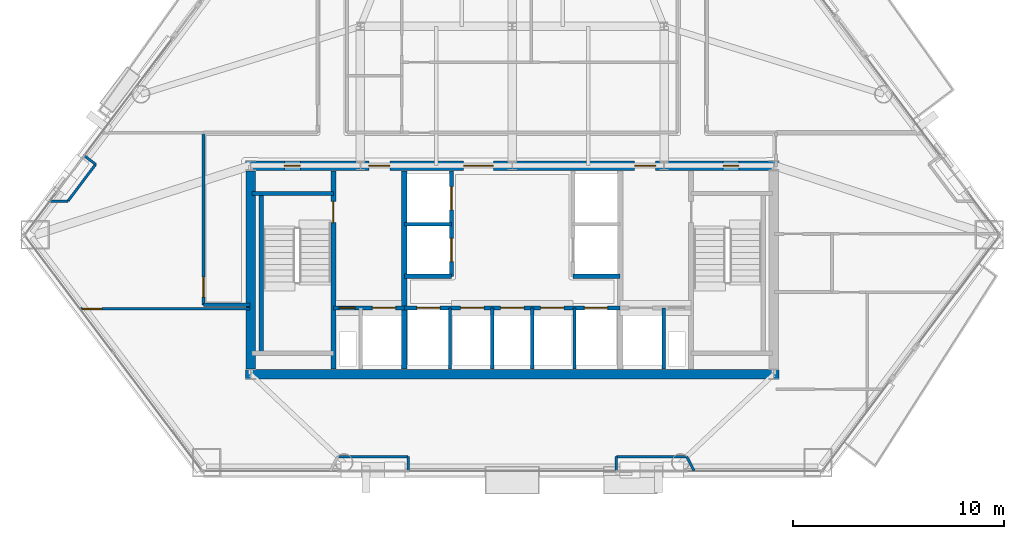
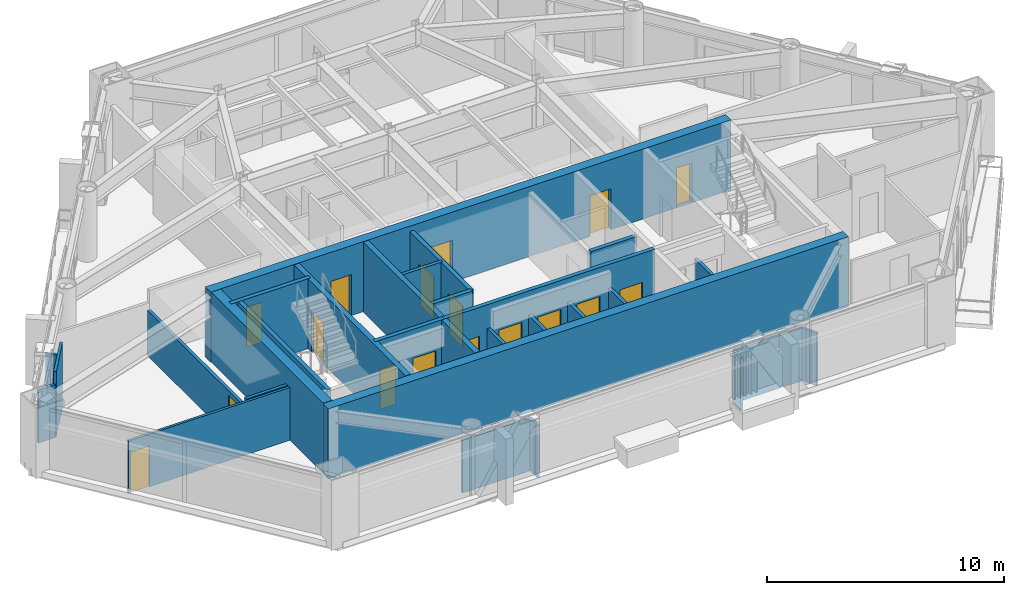
# One storey, part 6 of 11: 29 walls, 17 doors, 17 openings.
"""IFC4 building model written with IfcOpenShell, lengths in metres."""

from ifc_helpers import new_model, si_unit, direction, frame, frame_2d, origin, place, context, subcontext, project, spatial, rectangle, extrude, material, layer, layer_set, type_object, element, fill, save


model = new_model("IFC4")

# Units and contexts
model_context = context("Model", 3, precision=1e-05, world=origin(), true_north=direction((0.0, 1.0)))
body_context = subcontext(model_context, "Body", "Model", "MODEL_VIEW")
ifc_project = project(units=[si_unit("LENGTHUNIT", "METRE"), si_unit("AREAUNIT", "SQUARE_METRE"), si_unit("VOLUMEUNIT", "CUBIC_METRE"), si_unit("PLANEANGLEUNIT", "RADIAN"), si_unit("MASSUNIT", "GRAM", prefix="KILO")], contexts=[model_context])

# Site, building, storey
site_placement = place(None, origin())
site = spatial("IfcSite", under=ifc_project, at=site_placement, CompositionType="ELEMENT")
building_placement = place(site_placement, origin())
building = spatial("IfcBuilding", under=site, at=building_placement, Name="Talgorran Terracotta Tower", CompositionType="ELEMENT")
storey_placement = place(building_placement, frame((0.0, 0.0, 27.89990234375)))
storey = spatial("IfcBuildingStorey", under=building, at=storey_placement, Name="L06", CompositionType="ELEMENT", Elevation=27.89990234375)

# Walls
ifc_material_1 = material(Name="Concrete C50/60", Category="concrete")
ifc_layer_1 = layer(ifc_material_1, 0.199951171875, Name="WT_CORE_200")
ifc_layer_set_1 = layer_set([ifc_layer_1], Name="Concrete C50/60")
wall_type_1 = type_object("IfcWallType", Name="WT_CORE_200", PredefinedType="SOLIDWALL", material=ifc_layer_set_1)
wall_1_placement = place(storey_placement, frame((-12.35009765625, -5.52001953125, 0.0), z_axis=(0.0, 0.0, 1.0), x_axis=(1.0, 0.0, 0.0)))
element("IfcWall", 1, at=wall_1_placement, inside=storey, type_object=wall_type_1, Name="WL-L06-CW-ST1-N", PredefinedType="SOLIDWALL", context=body_context, shape_type="SweptSolid", body=[
    extrude(rectangle(XDim=3.8701171875, YDim=0.199951171875, at=frame_2d((1.93505859375, 0.0))), origin(), (0.0, 0.0, 1.0), 3.60009765625),
])
wall_2_placement = place(storey_placement, frame((-11.89990234375, -13.10009765625, 0.0), z_axis=(0.0, 0.0, 1.0), x_axis=(0.0, 1.0, 0.0)))
element("IfcWall", 2, at=wall_2_placement, inside=storey, type_object=wall_type_1, Name="WL-L06-CW-ST1-W", PredefinedType="SOLIDWALL", context=body_context, shape_type="SweptSolid", body=[
    extrude(rectangle(XDim=7.580078125, YDim=0.199951171875, at=frame_2d((3.7900390625, 0.0))), origin(), (0.0, 0.0, 1.0), 3.60009765625),
])

# Wall, openings, doors
wall_3_placement = place(storey_placement, frame((-8.47998046875, -10.949951171875, 0.0), z_axis=(0.0, 0.0, 1.0), x_axis=(1.0, 0.0, 0.0)))
wall_3 = element("IfcWall", 3, at=wall_3_placement, inside=storey, type_object=wall_type_1, Name="WL-L06-CW-H-SBW", PredefinedType="SOLIDWALL", context=body_context, shape_type="SweptSolid", body=[
    extrude(rectangle(XDim=3.35986328125, YDim=0.199951171875, at=frame_2d((1.679931640625, 0.0))), origin(), (0.0, 0.0, 1.0), 3.60009765625),
])
opening_1_placement = place(wall_3_placement, frame((0.280029296875, 0.0, 0.0)))
opening_1 = element("IfcOpeningElement", 4, at=opening_1_placement, cuts=wall_3, Name="Opening DR-RSW", PredefinedType="OPENING", context=body_context, shape_type="SweptSolid", body=[
    extrude(rectangle(XDim=0.756, YDim=2.054048828125, at=frame_2d((0.375, 1.027099609375))), frame((0.0, 0.10986328125, 0.0), z_axis=(0.0, -1.0, 0.0), x_axis=(1.0, 0.0, 0.0)), (0.0, 0.0, 1.0), 0.219970703125),
])
opening_2_placement = place(wall_3_placement, frame((1.85009765625, 0.0, 0.0)))
opening_2 = element("IfcOpeningElement", 5, at=opening_2_placement, cuts=wall_3, Name="Opening LD-FFL1", PredefinedType="OPENING", context=body_context, shape_type="SweptSolid", body=[
    extrude(rectangle(XDim=1.10609765625, YDim=2.10409765625, at=frame_2d((0.550048828125, 1.052001953125))), frame((0.0, 0.10986328125, 0.0), z_axis=(0.0, -1.0, 0.0), x_axis=(1.0, 0.0, 0.0)), (0.0, 0.0, 1.0), 0.219970703125),
])
ifc_material_2 = material(Name="Brushed Stainless Steel Grade 304", Category="steel")
door_type_1 = type_object("IfcDoorType", Name="DT_LIFT_LD1100", OperationType="DOUBLE_DOOR_SLIDING", PredefinedType="DOOR", material=ifc_material_2)
door_1_placement = place(opening_2_placement, origin())
door_1 = element("IfcDoor", 6, at=door_1_placement, inside=storey, type_object=door_type_1, Name="L06 Lift Landing Door LD-FFL1", OperationType="DOUBLE_DOOR_SLIDING", OverallHeight=2.10009765625, OverallWidth=1.10009765625, PredefinedType="DOOR", context=body_context, shape_type="SweptSolid", body=[
    extrude(rectangle(XDim=1.10009765625, YDim=2.10009765625, at=frame_2d((0.550048828125, 1.050048828125))), frame((0.0, 0.02490234375, 0.0), z_axis=(0.0, -1.0, 0.0), x_axis=(1.0, 0.0, 0.0)), (0.0, 0.0, 1.0), 0.050048828125),
])
fill(opening_2, door_1)
ifc_material_3 = material(Name="Fire-Rated Pressed Steel", Category="steel")
door_type_2 = type_object("IfcDoorType", Name="DT_RISER_750", OperationType="NOTDEFINED", PredefinedType="DOOR", material=ifc_material_3)
door_2_placement = place(opening_1_placement, origin())
door_2 = element("IfcDoor", 7, at=door_2_placement, inside=storey, type_object=door_type_2, Name="DR-RSW", OperationType="SINGLE_SWING_LEFT", OverallHeight=2.050048828125, OverallWidth=0.75, PredefinedType="DOOR", context=body_context, shape_type="SweptSolid", body=[
    extrude(rectangle(XDim=0.75, YDim=2.050048828125, at=frame_2d((0.375, 1.02490234375))), frame((0.0, 0.02490234375, 0.0), z_axis=(0.0, -1.0, 0.0), x_axis=(1.0, 0.0, 0.0)), (0.0, 0.0, 1.0), 0.050048828125),
])
fill(opening_1, door_2)

wall_4_placement = place(storey_placement, frame((-5.1201171875, -10.949951171875, 0.0), z_axis=(0.0, 0.0, 1.0), x_axis=(1.0, 0.0, 0.0)))
wall_4 = element("IfcWall", 8, at=wall_4_placement, inside=storey, type_object=wall_type_1, Name="WL-L06-CW-H-SBC", PredefinedType="SOLIDWALL", context=body_context, shape_type="SweptSolid", body=[
    extrude(rectangle(XDim=10.240234375, YDim=0.199951171875, at=frame_2d((5.1201171875, 0.0))), origin(), (0.0, 0.0, 1.0), 3.60009765625),
])
opening_3_placement = place(wall_4_placement, frame((0.60009765625, 0.0, 0.0)))
opening_3 = element("IfcOpeningElement", 9, at=opening_3_placement, cuts=wall_4, Name="Opening LD-OB1", PredefinedType="OPENING", context=body_context, shape_type="SweptSolid", body=[
    extrude(rectangle(XDim=1.10609765625, YDim=2.10409765625, at=frame_2d((0.550048828125, 1.052001953125))), frame((0.0, 0.10986328125, 0.0), z_axis=(0.0, -1.0, 0.0), x_axis=(1.0, 0.0, 0.0)), (0.0, 0.0, 1.0), 0.219970703125),
])
opening_4_placement = place(wall_4_placement, frame((2.669921875, 0.0, 0.0)))
opening_4 = element("IfcOpeningElement", 10, at=opening_4_placement, cuts=wall_4, Name="Opening LD-PLH1", PredefinedType="OPENING", context=body_context, shape_type="SweptSolid", body=[
    extrude(rectangle(XDim=1.10609765625, YDim=2.10409765625, at=frame_2d((0.550048828125, 1.052001953125))), frame((0.0, 0.10986328125, 0.0), z_axis=(0.0, -1.0, 0.0), x_axis=(1.0, 0.0, 0.0)), (0.0, 0.0, 1.0), 0.219970703125),
])
opening_5_placement = place(wall_4_placement, frame((4.570068359375, 0.0, 0.0)))
opening_5 = element("IfcOpeningElement", 11, at=opening_5_placement, cuts=wall_4, Name="Opening LD-PLH2", PredefinedType="OPENING", context=body_context, shape_type="SweptSolid", body=[
    extrude(rectangle(XDim=1.10609765625, YDim=2.10409765625, at=frame_2d((0.550048828125, 1.052001953125))), frame((0.0, 0.10986328125, 0.0), z_axis=(0.0, -1.0, 0.0), x_axis=(1.0, 0.0, 0.0)), (0.0, 0.0, 1.0), 0.219970703125),
])
opening_6_placement = place(wall_4_placement, frame((6.469970703125, 0.0, 0.0)))
opening_6 = element("IfcOpeningElement", 12, at=opening_6_placement, cuts=wall_4, Name="Opening LD-PLH3", PredefinedType="OPENING", context=body_context, shape_type="SweptSolid", body=[
    extrude(rectangle(XDim=1.10609765625, YDim=2.10409765625, at=frame_2d((0.550048828125, 1.052001953125))), frame((0.0, 0.10986328125, 0.0), z_axis=(0.0, -1.0, 0.0), x_axis=(1.0, 0.0, 0.0)), (0.0, 0.0, 1.0), 0.219970703125),
])
opening_7_placement = place(wall_4_placement, frame((8.5400390625, 0.0, 0.0)))
opening_7 = element("IfcOpeningElement", 13, at=opening_7_placement, cuts=wall_4, Name="Opening LD-SVL1", PredefinedType="OPENING", context=body_context, shape_type="SweptSolid", body=[
    extrude(rectangle(XDim=1.10609765625, YDim=2.10409765625, at=frame_2d((0.550048828125, 1.052001953125))), frame((0.0, 0.10986328125, 0.0), z_axis=(0.0, -1.0, 0.0), x_axis=(1.0, 0.0, 0.0)), (0.0, 0.0, 1.0), 0.219970703125),
])
door_3_placement = place(opening_3_placement, origin())
door_3 = element("IfcDoor", 14, at=door_3_placement, inside=storey, type_object=door_type_1, Name="L06 Lift Landing Door LD-OB1", OperationType="DOUBLE_DOOR_SLIDING", OverallHeight=2.10009765625, OverallWidth=1.10009765625, PredefinedType="DOOR", context=body_context, shape_type="SweptSolid", body=[
    extrude(rectangle(XDim=1.10009765625, YDim=2.10009765625, at=frame_2d((0.550048828125, 1.050048828125))), frame((0.0, 0.02490234375, 0.0), z_axis=(0.0, -1.0, 0.0), x_axis=(1.0, 0.0, 0.0)), (0.0, 0.0, 1.0), 0.050048828125),
])
fill(opening_3, door_3)
door_4_placement = place(opening_4_placement, origin())
door_4 = element("IfcDoor", 15, at=door_4_placement, inside=storey, type_object=door_type_1, Name="L06 Lift Landing Door LD-PLH1", OperationType="DOUBLE_DOOR_SLIDING", OverallHeight=2.10009765625, OverallWidth=1.10009765625, PredefinedType="DOOR", context=body_context, shape_type="SweptSolid", body=[
    extrude(rectangle(XDim=1.10009765625, YDim=2.10009765625, at=frame_2d((0.550048828125, 1.050048828125))), frame((0.0, 0.02490234375, 0.0), z_axis=(0.0, -1.0, 0.0), x_axis=(1.0, 0.0, 0.0)), (0.0, 0.0, 1.0), 0.050048828125),
])
fill(opening_4, door_4)
door_5_placement = place(opening_5_placement, origin())
door_5 = element("IfcDoor", 16, at=door_5_placement, inside=storey, type_object=door_type_1, Name="L06 Lift Landing Door LD-PLH2", OperationType="DOUBLE_DOOR_SLIDING", OverallHeight=2.10009765625, OverallWidth=1.10009765625, PredefinedType="DOOR", context=body_context, shape_type="SweptSolid", body=[
    extrude(rectangle(XDim=1.10009765625, YDim=2.10009765625, at=frame_2d((0.550048828125, 1.050048828125))), frame((0.0, 0.02490234375, 0.0), z_axis=(0.0, -1.0, 0.0), x_axis=(1.0, 0.0, 0.0)), (0.0, 0.0, 1.0), 0.050048828125),
])
fill(opening_5, door_5)
door_6_placement = place(opening_6_placement, origin())
door_6 = element("IfcDoor", 17, at=door_6_placement, inside=storey, type_object=door_type_1, Name="L06 Lift Landing Door LD-PLH3", OperationType="DOUBLE_DOOR_SLIDING", OverallHeight=2.10009765625, OverallWidth=1.10009765625, PredefinedType="DOOR", context=body_context, shape_type="SweptSolid", body=[
    extrude(rectangle(XDim=1.10009765625, YDim=2.10009765625, at=frame_2d((0.550048828125, 1.050048828125))), frame((0.0, 0.02490234375, 0.0), z_axis=(0.0, -1.0, 0.0), x_axis=(1.0, 0.0, 0.0)), (0.0, 0.0, 1.0), 0.050048828125),
])
fill(opening_6, door_6)
door_7_placement = place(opening_7_placement, origin())
door_7 = element("IfcDoor", 18, at=door_7_placement, inside=storey, type_object=door_type_1, Name="L06 Lift Landing Door LD-SVL1", OperationType="DOUBLE_DOOR_SLIDING", OverallHeight=2.10009765625, OverallWidth=1.10009765625, PredefinedType="DOOR", context=body_context, shape_type="SweptSolid", body=[
    extrude(rectangle(XDim=1.10009765625, YDim=2.10009765625, at=frame_2d((0.550048828125, 1.050048828125))), frame((0.0, 0.02490234375, 0.0), z_axis=(0.0, -1.0, 0.0), x_axis=(1.0, 0.0, 0.0)), (0.0, 0.0, 1.0), 0.050048828125),
])
fill(opening_7, door_7)

wall_5_placement = place(storey_placement, frame((-2.8798828125, -9.449951171875, 0.0), z_axis=(0.0, 0.0, 1.0), x_axis=(0.0, 1.0, 0.0)))
wall_5 = element("IfcWall", 19, at=wall_5_placement, inside=storey, type_object=wall_type_1, Name="WL-L06-CW-V-W3", PredefinedType="SOLIDWALL", context=body_context, shape_type="SweptSolid", body=[
    extrude(rectangle(XDim=5.0, YDim=0.199951171875, at=frame_2d((2.5, 0.0))), origin(), (0.0, 0.0, 1.0), 3.35009765625),
])
opening_8_placement = place(wall_5_placement, frame((0.699951171875, 0.0, 0.0)))
opening_8 = element("IfcOpeningElement", 20, at=opening_8_placement, cuts=wall_5, Name="Opening LD-PLL1", PredefinedType="OPENING", context=body_context, shape_type="SweptSolid", body=[
    extrude(rectangle(XDim=1.10609765625, YDim=2.10409765625, at=frame_2d((0.550048828125, 1.052001953125))), frame((0.0, 0.10986328125, 0.0), z_axis=(0.0, -1.0, 0.0), x_axis=(1.0, 0.0, 0.0)), (0.0, 0.0, 1.0), 0.219970703125),
])
opening_9_placement = place(wall_5_placement, frame((3.14990234375, 0.0, 0.0)))
opening_9 = element("IfcOpeningElement", 21, at=opening_9_placement, cuts=wall_5, Name="Opening LD-PLL2", PredefinedType="OPENING", context=body_context, shape_type="SweptSolid", body=[
    extrude(rectangle(XDim=1.10609765625, YDim=2.10409765625, at=frame_2d((0.550048828125, 1.052001953125))), frame((0.0, 0.10986328125, 0.0), z_axis=(0.0, -1.0, 0.0), x_axis=(1.0, 0.0, 0.0)), (0.0, 0.0, 1.0), 0.219970703125),
])
door_8_placement = place(opening_8_placement, origin())
door_8 = element("IfcDoor", 22, at=door_8_placement, inside=storey, type_object=door_type_1, Name="L06 Lift Landing Door LD-PLL1", OperationType="DOUBLE_DOOR_SLIDING", OverallHeight=2.10009765625, OverallWidth=1.10009765625, PredefinedType="DOOR", context=body_context, shape_type="SweptSolid", body=[
    extrude(rectangle(XDim=1.10009765625, YDim=2.10009765625, at=frame_2d((0.550048828125, 1.050048828125))), frame((0.0, 0.02490234375, 0.0), z_axis=(0.0, -1.0, 0.0), x_axis=(1.0, 0.0, 0.0)), (0.0, 0.0, 1.0), 0.050048828125),
])
fill(opening_8, door_8)
door_9_placement = place(opening_9_placement, origin())
door_9 = element("IfcDoor", 23, at=door_9_placement, inside=storey, type_object=door_type_1, Name="L06 Lift Landing Door LD-PLL2", OperationType="DOUBLE_DOOR_SLIDING", OverallHeight=2.10009765625, OverallWidth=1.10009765625, PredefinedType="DOOR", context=body_context, shape_type="SweptSolid", body=[
    extrude(rectangle(XDim=1.10009765625, YDim=2.10009765625, at=frame_2d((0.550048828125, 1.050048828125))), frame((0.0, 0.02490234375, 0.0), z_axis=(0.0, -1.0, 0.0), x_axis=(1.0, 0.0, 0.0)), (0.0, 0.0, 1.0), 0.050048828125),
])
fill(opening_9, door_9)

# Walls
for number, where, z_axis, x_axis, name in (
    (24, (-5.1201171875, -9.449951171875, 0.0), (0.0, 0.0, 1.0), (1.0, 0.0, 0.0), "WL-L06-CW-H-W4"),
    (25, (2.8798828125, -9.449951171875, 0.0), (0.0, 0.0, 1.0), (1.0, 0.0, 0.0), "WL-L06-CW-H-E4"),
):
    element("IfcWall", number, at=place(storey_placement, frame(where, z_axis=z_axis, x_axis=x_axis)), inside=storey, type_object=wall_type_1, Name=name, PredefinedType="SOLIDWALL", context=body_context, shape_type="SweptSolid", body=[
        extrude(rectangle(XDim=2.240234375, YDim=0.199951171875, at=frame_2d((1.1201171875, 0.0))), origin(), (0.0, 0.0, 1.0), 3.35009765625),
    ])

# Wall, opening, door
ifc_layer_2 = layer(ifc_material_1, 0.25, Name="WT_CORE_250")
ifc_layer_set_2 = layer_set([ifc_layer_2], Name="Concrete C50/60")
wall_type_2 = type_object("IfcWallType", Name="WT_CORE_250", PredefinedType="SHEAR", material=ifc_layer_set_2)
wall_6_placement = place(storey_placement, frame((-8.47998046875, -13.85009765625, 0.0), z_axis=(0.0, 0.0, 1.0), x_axis=(0.0, 1.0, 0.0)))
wall_6 = element("IfcWall", 26, at=wall_6_placement, inside=storey, type_object=wall_type_2, Name="WL-L06-CW-V-W1", PredefinedType="SHEAR", context=body_context, shape_type="SweptSolid", body=[
    extrude(rectangle(XDim=9.400146484375, YDim=0.25, at=frame_2d((4.7001953125, 0.0))), origin(), (0.0, 0.0, 1.0), 3.60009765625),
])
opening_10_placement = place(wall_6_placement, frame((6.949951171875, 0.0, 0.0)))
opening_10 = element("IfcOpeningElement", 27, at=opening_10_placement, cuts=wall_6, Name="Opening DR-ST01", PredefinedType="OPENING", context=body_context, shape_type="SweptSolid", body=[
    extrude(rectangle(XDim=1.006, YDim=2.10409765625, at=frame_2d((0.5, 1.052001953125))), frame((0.0, 0.135009765625, 0.0), z_axis=(0.0, -1.0, 0.0), x_axis=(1.0, 0.0, 0.0)), (0.0, 0.0, 1.0), 0.27001953125),
])
door_type_3 = type_object("IfcDoorType", Name="DT_FIRE_1000", OperationType="NOTDEFINED", PredefinedType="DOOR", material=ifc_material_3)
door_10_placement = place(opening_10_placement, origin())
door_10 = element("IfcDoor", 28, at=door_10_placement, inside=storey, type_object=door_type_3, Name="DR-ST01", OperationType="SINGLE_SWING_LEFT", OverallHeight=2.10009765625, OverallWidth=1.0, PredefinedType="DOOR", context=body_context, shape_type="SweptSolid", body=[
    extrude(rectangle(XDim=1.0, YDim=2.10009765625, at=frame_2d((0.5, 1.050048828125))), frame((0.0, 0.02490234375, 0.0), z_axis=(0.0, -1.0, 0.0), x_axis=(1.0, 0.0, 0.0)), (0.0, 0.0, 1.0), 0.050048828125),
])
fill(opening_10, door_10)

# Walls
wall_7_placement = place(storey_placement, frame((-5.1201171875, -13.85009765625, 0.0), z_axis=(0.0, 0.0, 1.0), x_axis=(0.0, 1.0, 0.0)))
element("IfcWall", 29, at=wall_7_placement, inside=storey, type_object=wall_type_2, Name="WL-L06-CW-V-W2", PredefinedType="SHEAR", context=body_context, shape_type="SweptSolid", body=[
    extrude(rectangle(XDim=9.400146484375, YDim=0.25, at=frame_2d((4.7001953125, 0.0))), origin(), (0.0, 0.0, 1.0), 3.60009765625),
])
ifc_material_4 = material(Name="Concrete C65/80", Category="concrete")
ifc_layer_3 = layer(ifc_material_4, 0.449951171875, Name="WT_CORE_EXT")
ifc_layer_set_3 = layer_set([ifc_layer_3], Name="Concrete C65/80")
wall_type_3 = type_object("IfcWallType", Name="WT_CORE_EXT", PredefinedType="SHEAR", material=ifc_layer_set_3)
wall_8_placement = place(storey_placement, frame((-12.64990234375, -14.10009765625, 0.0), z_axis=(0.0, 0.0, 1.0), x_axis=(1.0, 0.0, 0.0)))
element("IfcWall", 30, at=wall_8_placement, inside=storey, type_object=wall_type_3, Name="WL-L06-CW-OUT-S", PredefinedType="SHEAR", context=body_context, shape_type="SweptSolid", body=[
    extrude(rectangle(XDim=25.2998046875, YDim=0.449951171875, at=frame_2d((12.64990234375, 0.0))), origin(), (0.0, 0.0, 1.0), 3.60009765625),
])

# Wall, openings, doors
wall_9_placement = place(storey_placement, frame((-12.64990234375, -4.199951171875, 0.0), z_axis=(0.0, 0.0, 1.0), x_axis=(1.0, 0.0, 0.0)))
wall_9 = element("IfcWall", 31, at=wall_9_placement, inside=storey, type_object=wall_type_3, Name="WL-L06-CW-OUT-N", PredefinedType="SHEAR", context=body_context, shape_type="SweptSolid", body=[
    extrude(rectangle(XDim=25.2998046875, YDim=0.449951171875, at=frame_2d((12.64990234375, 0.0))), origin(), (0.0, 0.0, 1.0), 3.60009765625),
])
opening_11_placement = place(wall_9_placement, frame((1.85009765625, 0.0, 0.0)))
opening_11 = element("IfcOpeningElement", 32, at=opening_11_placement, cuts=wall_9, Name="Opening DR-CSN1", PredefinedType="OPENING", context=body_context, shape_type="SweptSolid", body=[
    extrude(rectangle(XDim=0.756, YDim=2.054048828125, at=frame_2d((0.375, 1.027099609375))), frame((0.0, 0.23486328125, 0.0), z_axis=(0.0, -1.0, 0.0), x_axis=(1.0, 0.0, 0.0)), (0.0, 0.0, 1.0), 0.469970703125),
])
opening_12_placement = place(wall_9_placement, frame((22.64990234375, 0.0, 0.0)))
opening_12 = element("IfcOpeningElement", 33, at=opening_12_placement, cuts=wall_9, Name="Opening DR-CSN2", PredefinedType="OPENING", context=body_context, shape_type="SweptSolid", body=[
    extrude(rectangle(XDim=0.756, YDim=2.054048828125, at=frame_2d((0.375, 1.027099609375))), frame((0.0, 0.23486328125, 0.0), z_axis=(0.0, -1.0, 0.0), x_axis=(1.0, 0.0, 0.0)), (0.0, 0.0, 1.0), 0.469970703125),
])
opening_13_placement = place(wall_9_placement, frame((5.85009765625, 0.0, 0.0)))
opening_13 = element("IfcOpeningElement", 34, at=opening_13_placement, cuts=wall_9, Name="Opening DR-FFLW-N", PredefinedType="OPENING", context=body_context, shape_type="SweptSolid", body=[
    extrude(rectangle(XDim=1.006, YDim=2.10409765625, at=frame_2d((0.5, 1.052001953125))), frame((0.0, 0.23486328125, 0.0), z_axis=(0.0, -1.0, 0.0), x_axis=(1.0, 0.0, 0.0)), (0.0, 0.0, 1.0), 0.469970703125),
])
opening_14_placement = place(wall_9_placement, frame((10.35009765625, 0.0, 0.0)))
opening_14 = element("IfcOpeningElement", 35, at=opening_14_placement, cuts=wall_9, Name="Opening DR-PLL-N", PredefinedType="OPENING", context=body_context, shape_type="SweptSolid", body=[
    extrude(rectangle(XDim=1.40590234375, YDim=2.15390234375, at=frame_2d((0.699951171875, 1.076904296875))), frame((0.0, 0.23486328125, 0.0), z_axis=(0.0, -1.0, 0.0), x_axis=(1.0, 0.0, 0.0)), (0.0, 0.0, 1.0), 0.469970703125),
])
opening_15_placement = place(wall_9_placement, frame((18.449951171875, 0.0, 0.0)))
opening_15 = element("IfcOpeningElement", 36, at=opening_15_placement, cuts=wall_9, Name="Opening DR-FFLE-N", PredefinedType="OPENING", context=body_context, shape_type="SweptSolid", body=[
    extrude(rectangle(XDim=1.006, YDim=2.10409765625, at=frame_2d((0.5, 1.052001953125))), frame((0.0, 0.23486328125, 0.0), z_axis=(0.0, -1.0, 0.0), x_axis=(1.0, 0.0, 0.0)), (0.0, 0.0, 1.0), 0.469970703125),
])
ifc_material_5 = material(Name="Acoustic Glazed Timber", Category="wood")
door_type_4 = type_object("IfcDoorType", Name="DT_DOUBLE_1400", OperationType="DOUBLE_DOOR_SINGLE_SWING", PredefinedType="DOOR", material=ifc_material_5)
door_11_placement = place(opening_14_placement, origin())
door_11 = element("IfcDoor", 37, at=door_11_placement, inside=storey, type_object=door_type_4, Name="DR-PLL-N", OperationType="DOUBLE_DOOR_SINGLE_SWING", OverallHeight=2.14990234375, OverallWidth=1.39990234375, PredefinedType="DOOR", context=body_context, shape_type="SweptSolid", body=[
    extrude(rectangle(XDim=1.39990234375, YDim=2.14990234375, at=frame_2d((0.699951171875, 1.074951171875))), frame((0.0, 0.02490234375, 0.0), z_axis=(0.0, -1.0, 0.0), x_axis=(1.0, 0.0, 0.0)), (0.0, 0.0, 1.0), 0.050048828125),
])
fill(opening_14, door_11)
door_12_placement = place(opening_13_placement, origin())
door_12 = element("IfcDoor", 38, at=door_12_placement, inside=storey, type_object=door_type_3, Name="DR-FFLW-N", OperationType="SINGLE_SWING_LEFT", OverallHeight=2.10009765625, OverallWidth=1.0, PredefinedType="DOOR", context=body_context, shape_type="SweptSolid", body=[
    extrude(rectangle(XDim=1.0, YDim=2.10009765625, at=frame_2d((0.5, 1.050048828125))), frame((0.0, 0.02490234375, 0.0), z_axis=(0.0, -1.0, 0.0), x_axis=(1.0, 0.0, 0.0)), (0.0, 0.0, 1.0), 0.050048828125),
])
fill(opening_13, door_12)
door_13_placement = place(opening_15_placement, origin())
door_13 = element("IfcDoor", 39, at=door_13_placement, inside=storey, type_object=door_type_3, Name="DR-FFLE-N", OperationType="SINGLE_SWING_RIGHT", OverallHeight=2.10009765625, OverallWidth=1.0, PredefinedType="DOOR", context=body_context, shape_type="SweptSolid", body=[
    extrude(rectangle(XDim=1.0, YDim=2.10009765625, at=frame_2d((0.5, 1.050048828125))), frame((0.0, 0.02490234375, 0.0), z_axis=(0.0, -1.0, 0.0), x_axis=(1.0, 0.0, 0.0)), (0.0, 0.0, 1.0), 0.050048828125),
])
fill(opening_15, door_13)
door_14_placement = place(opening_11_placement, origin())
door_14 = element("IfcDoor", 40, at=door_14_placement, inside=storey, type_object=door_type_2, Name="DR-CSN1", OperationType="SINGLE_SWING_LEFT", OverallHeight=2.050048828125, OverallWidth=0.75, PredefinedType="DOOR", context=body_context, shape_type="SweptSolid", body=[
    extrude(rectangle(XDim=0.75, YDim=2.050048828125, at=frame_2d((0.375, 1.02490234375))), frame((0.0, 0.02490234375, 0.0), z_axis=(0.0, -1.0, 0.0), x_axis=(1.0, 0.0, 0.0)), (0.0, 0.0, 1.0), 0.050048828125),
])
fill(opening_11, door_14)
door_15_placement = place(opening_12_placement, origin())
door_15 = element("IfcDoor", 41, at=door_15_placement, inside=storey, type_object=door_type_2, Name="DR-CSN2", OperationType="SINGLE_SWING_RIGHT", OverallHeight=2.050048828125, OverallWidth=0.75, PredefinedType="DOOR", context=body_context, shape_type="SweptSolid", body=[
    extrude(rectangle(XDim=0.75, YDim=2.050048828125, at=frame_2d((0.375, 1.02490234375))), frame((0.0, 0.02490234375, 0.0), z_axis=(0.0, -1.0, 0.0), x_axis=(1.0, 0.0, 0.0)), (0.0, 0.0, 1.0), 0.050048828125),
])
fill(opening_12, door_15)

# Wall
wall_10_placement = place(storey_placement, frame((-12.39990234375, -13.85009765625, 0.0), z_axis=(0.0, 0.0, 1.0), x_axis=(0.0, 1.0, 0.0)))
element("IfcWall", 42, at=wall_10_placement, inside=storey, type_object=wall_type_3, Name="WL-L06-CW-OUT-W", PredefinedType="SHEAR", context=body_context, shape_type="SweptSolid", body=[
    extrude(rectangle(XDim=9.400146484375, YDim=0.449951171875, at=frame_2d((4.7001953125, 0.0))), origin(), (0.0, 0.0, 1.0), 3.60009765625),
])

# Wall, opening, door
ifc_material_6 = material(Name="Fire-Rated Steel Stud Plasterboard", Category="steel")
ifc_layer_4 = layer(ifc_material_6, 0.14990234375, Name="WT_FIRE_150")
ifc_layer_set_4 = layer_set([ifc_layer_4], Name="Fire-Rated Steel Stud Plasterboard")
wall_type_4 = type_object("IfcWallType", Name="WT_FIRE_150", PredefinedType="PARTITIONING", material=ifc_layer_set_4)
wall_11_placement = place(storey_placement, frame((-14.639892578125, -10.800048828125, 0.0), z_axis=(0.0, 0.0, 1.0), x_axis=(0.0, 1.0, 0.0)))
wall_11 = element("IfcWall", 43, at=wall_11_placement, inside=storey, type_object=wall_type_4, Name="WL-L06-W-L06-R01", PredefinedType="PARTITIONING", context=body_context, shape_type="SweptSolid", body=[
    extrude(rectangle(XDim=8.16015625, YDim=0.14990234375, at=frame_2d((4.080078125, 0.0))), origin(), (0.0, 0.0, 1.0), 2.3251953125),
])
opening_16_placement = place(wall_11_placement, frame((0.35888671875, 0.0, 0.0)))
opening_16 = element("IfcOpeningElement", 44, at=opening_16_placement, cuts=wall_11, Name="Opening DR-L06-R01", PredefinedType="OPENING", context=body_context, shape_type="SweptSolid", body=[
    extrude(rectangle(XDim=0.955951171875, YDim=2.10409765625, at=frame_2d((0.47509765625, 1.052001953125))), frame((0.0, 0.0849609375, 0.0), z_axis=(0.0, -1.0, 0.0), x_axis=(1.0, 0.0, 0.0)), (0.0, 0.0, 1.0), 0.169921875),
])
ifc_material_7 = material(Name="Fire-Rated Timber Core", Category="wood")
door_type_5 = type_object("IfcDoorType", Name="DT_FIRE_950", OperationType="NOTDEFINED", PredefinedType="DOOR", material=ifc_material_7)
door_16_placement = place(opening_16_placement, origin())
door_16 = element("IfcDoor", 45, at=door_16_placement, inside=storey, type_object=door_type_5, Name="DR-L06-R01", OperationType="SINGLE_SWING_LEFT", OverallHeight=2.10009765625, OverallWidth=0.949951171875, PredefinedType="DOOR", context=body_context, shape_type="SweptSolid", body=[
    extrude(rectangle(XDim=0.949951171875, YDim=2.10009765625, at=frame_2d((0.47509765625, 1.050048828125))), frame((0.0, 0.02490234375, 0.0), z_axis=(0.0, -1.0, 0.0), x_axis=(1.0, 0.0, 0.0)), (0.0, 0.0, 1.0), 0.050048828125),
])
fill(opening_16, door_16)

# Wall
wall_12_placement = place(storey_placement, frame((-14.639892578125, -10.800048828125, 0.0), z_axis=(0.0, 0.0, 1.0), x_axis=(1.0, 0.0, 0.0)))
element("IfcWall", 46, at=wall_12_placement, inside=storey, type_object=wall_type_4, Name="WL-L06-W-L06-R02", PredefinedType="PARTITIONING", context=body_context, shape_type="SweptSolid", body=[
    extrude(rectangle(XDim=2.199951171875, YDim=0.14990234375, at=frame_2d((1.10009765625, 0.0))), origin(), (0.0, 0.0, 1.0), 2.71337890625),
])

# Wall, opening, door
ifc_material_8 = material(Name="Insulated Steel Stud Plasterboard", Category="steel")
ifc_layer_5 = layer(ifc_material_8, 0.1201171875, Name="WT_PART_120")
ifc_layer_set_5 = layer_set([ifc_layer_5], Name="Insulated Steel Stud Plasterboard")
wall_type_5 = type_object("IfcWallType", Name="WT_PART_120", PredefinedType="PARTITIONING", material=ifc_layer_set_5)
wall_13_placement = place(storey_placement, frame((-20.482666015625, -11.0, 0.0), z_axis=(0.0, 0.0, 1.0), x_axis=(1.0, 0.0, 0.0)))
wall_13 = element("IfcWall", 47, at=wall_13_placement, inside=storey, type_object=wall_type_5, Name="WL-L06-W-L06-R20", PredefinedType="PARTITIONING", context=body_context, shape_type="SweptSolid", body=[
    extrude(rectangle(XDim=8.042724609375, YDim=0.1201171875, at=frame_2d((4.021484375, 0.0))), origin(), (0.0, 0.0, 1.0), 2.71337890625),
])
opening_17_placement = place(wall_13_placement, frame((0.10009765625, 0.0, 0.0)))
opening_17 = element("IfcOpeningElement", 48, at=opening_17_placement, cuts=wall_13, Name="Opening DR-L06-R02", PredefinedType="OPENING", context=body_context, shape_type="SweptSolid", body=[
    extrude(rectangle(XDim=0.925921875, YDim=2.10409765625, at=frame_2d((0.4599609375, 1.052001953125))), frame((0.0, 0.070068359375, 0.0), z_axis=(0.0, -1.0, 0.0), x_axis=(1.0, 0.0, 0.0)), (0.0, 0.0, 1.0), 0.14013671875),
])
ifc_material_9 = material(Name="Solid-Core Painted Timber", Category="wood")
door_type_6 = type_object("IfcDoorType", Name="DT_INT_920", OperationType="NOTDEFINED", PredefinedType="DOOR", material=ifc_material_9)
door_17_placement = place(opening_17_placement, origin())
door_17 = element("IfcDoor", 49, at=door_17_placement, inside=storey, type_object=door_type_6, Name="DR-L06-R02", OperationType="SINGLE_SWING_RIGHT", OverallHeight=2.10009765625, OverallWidth=0.919921875, PredefinedType="DOOR", context=body_context, shape_type="SweptSolid", body=[
    extrude(rectangle(XDim=0.919921875, YDim=2.10009765625, at=frame_2d((0.4599609375, 1.050048828125))), frame((0.0, 0.02490234375, 0.0), z_axis=(0.0, -1.0, 0.0), x_axis=(1.0, 0.0, 0.0)), (0.0, 0.0, 1.0), 0.050048828125),
])
fill(opening_17, door_17)

# Walls
for number, where, z_axis, x_axis, name in (
    (50, (-8.271240234375, -18.0, 0.0), (0.0, 0.0, 1.0), (1.0, 0.0, 0.0), "WL-L06-BW-L06-01"),
    (51, (4.936767578125, -18.0, 0.0), (0.0, 0.0, 1.0), (1.0, 0.0, 0.0), "WL-L06-BW-L06-06"),
):
    element("IfcWall", number, at=place(storey_placement, frame(where, z_axis=z_axis, x_axis=x_axis)), inside=storey, type_object=wall_type_5, Name=name, PredefinedType="PARTITIONING", context=body_context, shape_type="SweptSolid", body=[
        extrude(rectangle(XDim=3.33447265625, YDim=0.1201171875, at=frame_2d((1.667236328125, 0.0))), origin(), (0.0, 0.0, 1.0), 2.71337890625),
    ])
wall_14_placement = place(storey_placement, frame((-19.751708984375, -4.140380859375, 0.0), z_axis=(0.0, 0.0, 1.0), x_axis=(-0.601772594651, -0.798667480449, 0.0)))
element("IfcWall", 52, at=wall_14_placement, inside=storey, type_object=wall_type_5, Name="WL-L06-BW-L06-08", PredefinedType="PARTITIONING", context=body_context, shape_type="SweptSolid", body=[
    extrude(rectangle(XDim=2.179931640625, YDim=0.1201171875, at=frame_2d((1.08984375, 0.0))), origin(), (0.0, 0.0, 1.0), 3.35009765625),
])
wall_15_placement = place(storey_placement, frame((-21.0634765625, -5.88134765625, 0.0), z_axis=(0.0, 0.0, 1.0), x_axis=(-0.999908336428, -0.013539525155, 0.0)))
element("IfcWall", 53, at=wall_15_placement, inside=storey, type_object=wall_type_5, Name="WL-L06-BW-L06-09", PredefinedType="PARTITIONING", context=body_context, shape_type="SweptSolid", body=[
    extrude(rectangle(XDim=0.847412109375, YDim=0.1201171875, at=frame_2d((0.423828125, 0.0))), origin(), (0.0, 0.0, 1.0), 2.71337890625),
])
wall_16_placement = place(storey_placement, frame((8.271240234375, -18.0, 0.0), z_axis=(0.0, 0.0, 1.0), x_axis=(0.464175849306, -0.885743067103, 0.0)))
element("IfcWall", 54, at=wall_16_placement, inside=storey, type_object=wall_type_5, Name="WL-L06-BW-L06-04", PredefinedType="PARTITIONING", context=body_context, shape_type="SweptSolid", body=[
    extrude(rectangle(XDim=0.75634765625, YDim=0.1201171875, at=frame_2d((0.378173828125, 0.0))), origin(), (0.0, 0.0, 1.0), 2.71337890625),
])
wall_17_placement = place(storey_placement, frame((-20.28662109375, -3.7373046875, 0.0), z_axis=(0.0, 0.0, 1.0), x_axis=(0.798641978857, -0.601806438655, 0.0)))
element("IfcWall", 55, at=wall_17_placement, inside=storey, type_object=wall_type_5, Name="WL-L06-BW-L06-07", PredefinedType="PARTITIONING", context=body_context, shape_type="SweptSolid", body=[
    extrude(rectangle(XDim=0.669677734375, YDim=0.1201171875, at=frame_2d((0.3349609375, 0.0))), origin(), (0.0, 0.0, 1.0), 2.71337890625),
])
for number, where, z_axis, x_axis, name in (
    (56, (-4.936767578125, -18.0, 0.0), (0.0, 0.0, 1.0), (0.0, -1.0, 0.0), "WL-L06-BW-L06-02"),
    (57, (4.936767578125, -18.669921875, 0.0), (0.0, 0.0, 1.0), (0.0, 1.0, 0.0), "WL-L06-BW-L06-05"),
):
    element("IfcWall", number, at=place(storey_placement, frame(where, z_axis=z_axis, x_axis=x_axis)), inside=storey, type_object=wall_type_5, Name=name, PredefinedType="PARTITIONING", context=body_context, shape_type="SweptSolid", body=[
        extrude(rectangle(XDim=0.669921875, YDim=0.1201171875, at=frame_2d((0.3349609375, 0.0))), origin(), (0.0, 0.0, 1.0), 2.71337890625),
    ])
ifc_material_10 = material(Name="Fire-Rated Shaftwall")
ifc_layer_6 = layer(ifc_material_10, 0.159912109375, Name="WT_PART_150")
ifc_layer_set_6 = layer_set([ifc_layer_6], Name="Fire-Rated Shaftwall")
wall_type_6 = type_object("IfcWallType", Name="WT_PART_150", PredefinedType="PARTITIONING", material=ifc_layer_set_6)
wall_18_placement = place(storey_placement, frame((-5.1201171875, -6.97998046875, 0.0), z_axis=(0.0, 0.0, 1.0), x_axis=(1.0, 0.0, 0.0)))
element("IfcWall", 58, at=wall_18_placement, inside=storey, type_object=wall_type_6, Name="WL-L06-CW-PLL-DIV", PredefinedType="PARTITIONING", context=body_context, shape_type="SweptSolid", body=[
    extrude(rectangle(XDim=2.240234375, YDim=0.159912109375, at=frame_2d((1.1201171875, 0.0))), origin(), (0.0, 0.0, 1.0), 3.35009765625),
])
for number, where, z_axis, x_axis, name in (
    (59, (7.179931640625, -13.85009765625, 0.0), (0.0, 0.0, 1.0), (0.0, 1.0, 0.0), "WL-L06-CW-RSE"),
    (60, (-2.949951171875, -13.85009765625, 0.0), (0.0, 0.0, 1.0), (0.0, 1.0, 0.0), "WL-L06-CW-OB-E"),
    (61, (2.949951171875, -13.85009765625, 0.0), (0.0, 0.0, 1.0), (0.0, 1.0, 0.0), "WL-L06-CW-SV-W"),
    (62, (-0.949951171875, -13.85009765625, 0.0), (0.0, 0.0, 1.0), (0.0, 1.0, 0.0), "WL-L06-CW-PLH-D1"),
    (63, (0.949951171875, -13.85009765625, 0.0), (0.0, 0.0, 1.0), (0.0, 1.0, 0.0), "WL-L06-CW-PLH-D2"),
):
    element("IfcWall", number, at=place(storey_placement, frame(where, z_axis=z_axis, x_axis=x_axis)), inside=storey, type_object=wall_type_6, Name=name, PredefinedType="PARTITIONING", context=body_context, shape_type="SweptSolid", body=[
        extrude(rectangle(XDim=2.900146484375, YDim=0.159912109375, at=frame_2d((1.4501953125, 0.0))), origin(), (0.0, 0.0, 1.0), 2.375),
    ])

save(model, "model.ifc")
